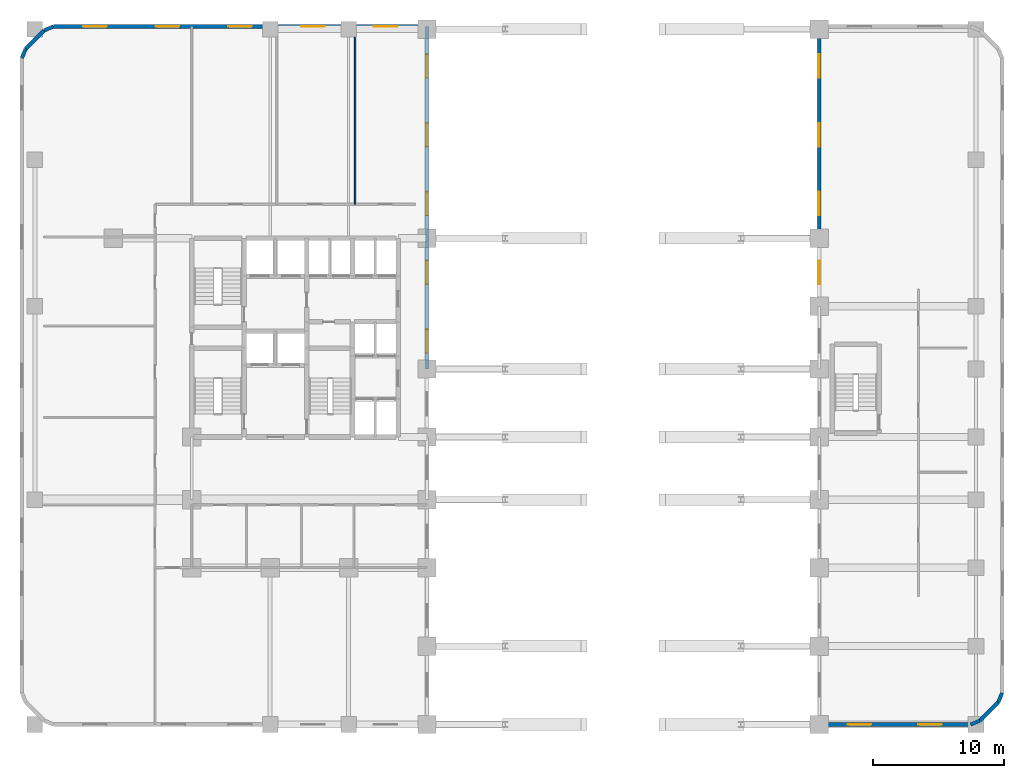
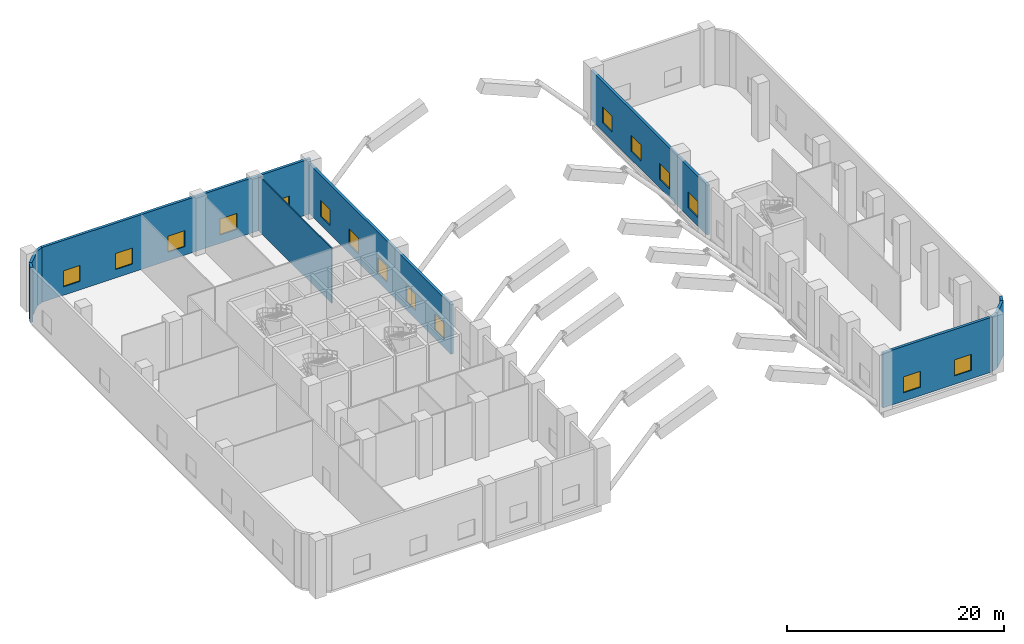
# One storey, part 6 of 10: 16 windows, 11 walls, 16 openings.
"""IFC4 building model written with IfcOpenShell, lengths in metres."""

from ifc_helpers import new_model, si_unit, direction, frame, frame_2d, origin, place, context, subcontext, project, spatial, rectangle, extrude, material, layer, layer_set, type_object, element, fill, save


model = new_model("IFC4")

# Units and contexts
model_context = context("Model", 3, precision=1e-05, world=origin(), true_north=direction((0.0, 1.0)))
body_context = subcontext(model_context, "Body", "Model", "MODEL_VIEW")
ifc_project = project(units=[si_unit("LENGTHUNIT", "METRE"), si_unit("AREAUNIT", "SQUARE_METRE"), si_unit("VOLUMEUNIT", "CUBIC_METRE"), si_unit("PLANEANGLEUNIT", "RADIAN"), si_unit("MASSUNIT", "GRAM", prefix="KILO")], contexts=[model_context])

# Site, building, storey
site_placement = place(None, origin())
site = spatial("IfcSite", under=ifc_project, at=site_placement, CompositionType="ELEMENT")
building_placement = place(site_placement, origin())
building = spatial("IfcBuilding", under=site, at=building_placement, Name="Keshet Zoharim Tower", CompositionType="ELEMENT")
storey_placement = place(building_placement, frame((0.0, 0.0, 6.5)))
storey = spatial("IfcBuildingStorey", under=building, at=storey_placement, Name="L01", CompositionType="ELEMENT", Elevation=6.5)

# Walls
ifc_material_1 = material(Name="Concrete C50/60 precast", Category="concrete")
ifc_layer_1 = layer(ifc_material_1, 0.280029296875)
ifc_layer_set_1 = layer_set([ifc_layer_1], Name="Concrete C50/60 precast")
wall_type_1 = type_object("IfcWallType", Name="WL-EXT-280", PredefinedType="STANDARD", material=ifc_layer_set_1)
wall_1_placement = place(storey_placement, frame((2.0, 51.68603515625, 0.0), z_axis=(0.0, 0.0, 1.0), x_axis=(0.382802560388, 0.92383017907, 0.0)))
element("IfcWall", 1, at=wall_1_placement, inside=storey, type_object=wall_type_1, Name="L01 Podium Precast Facade Wall 02", PredefinedType="STANDARD", context=body_context, shape_type="SweptSolid", body=[
    extrude(rectangle(XDim=0.765380859375, YDim=0.280029296875, at=frame_2d((0.3828125, 0.0))), origin(), (0.0, 0.0, 1.0), 6.169921875),
])
wall_2_placement = place(storey_placement, frame((2.29296875, 52.39306640625, 0.0), z_axis=(0.0, 0.0, 1.0), x_axis=(0.707167825498, 0.707045731605, 0.0)))
element("IfcWall", 2, at=wall_2_placement, inside=storey, type_object=wall_type_1, Name="L01 Podium Precast Facade Wall 03", PredefinedType="STANDARD", context=body_context, shape_type="SweptSolid", body=[
    extrude(rectangle(XDim=1.99951171875, YDim=0.280029296875, at=frame_2d((0.999755859375, 0.0))), origin(), (0.0, 0.0, 1.0), 6.169921875),
])
wall_3_placement = place(storey_placement, frame((3.70703125, 53.806884765625, 0.0), z_axis=(0.0, 0.0, 1.0), x_axis=(0.923717339373, 0.383074766777, 0.0)))
element("IfcWall", 3, at=wall_3_placement, inside=storey, type_object=wall_type_1, Name="L01 Podium Precast Facade Wall 04", PredefinedType="STANDARD", context=body_context, shape_type="SweptSolid", body=[
    extrude(rectangle(XDim=0.765380859375, YDim=0.280029296875, at=frame_2d((0.3828125, 0.0))), origin(), (0.0, 0.0, 1.0), 6.169921875),
])

# Wall, openings, windows
wall_4_placement = place(storey_placement, frame((4.4140625, 54.10009765625, 0.0), z_axis=(0.0, 0.0, 1.0), x_axis=(1.0, 0.0, 0.0)))
wall_4 = element("IfcWall", 4, at=wall_4_placement, inside=storey, type_object=wall_type_1, Name="L01 Podium Precast Facade Wall 05", PredefinedType="STANDARD", context=body_context, shape_type="SweptSolid", body=[
    extrude(rectangle(XDim=28.5859375, YDim=0.280029296875, at=frame_2d((14.29296875, 0.0))), origin(), (0.0, 0.0, 1.0), 6.169921875),
])
opening_1_placement = place(wall_4_placement, frame((2.279052734375, 0.0, 0.949951171875)))
opening_1 = element("IfcOpeningElement", 5, at=opening_1_placement, cuts=wall_4, Name="Opening W-180", PredefinedType="OPENING", context=body_context, shape_type="SweptSolid", body=[
    extrude(rectangle(XDim=1.800048828125, YDim=1.800048828125, at=frame_2d((0.89990234375, 0.89990234375))), frame((0.0, 0.14990234375, 0.0), z_axis=(0.0, -1.0, 0.0), x_axis=(1.0, 0.0, 0.0)), (0.0, 0.0, 1.0), 0.300048828125),
])
opening_2_placement = place(wall_4_placement, frame((7.8359375, 0.0, 0.949951171875)))
opening_2 = element("IfcOpeningElement", 6, at=opening_2_placement, cuts=wall_4, Name="Opening W-180", PredefinedType="OPENING", context=body_context, shape_type="SweptSolid", body=[
    extrude(rectangle(XDim=1.800048828125, YDim=1.800048828125, at=frame_2d((0.89990234375, 0.89990234375))), frame((0.0, 0.14990234375, 0.0), z_axis=(0.0, -1.0, 0.0), x_axis=(1.0, 0.0, 0.0)), (0.0, 0.0, 1.0), 0.300048828125),
])
opening_3_placement = place(wall_4_placement, frame((13.39306640625, 0.0, 0.949951171875)))
opening_3 = element("IfcOpeningElement", 7, at=opening_3_placement, cuts=wall_4, Name="Opening W-180", PredefinedType="OPENING", context=body_context, shape_type="SweptSolid", body=[
    extrude(rectangle(XDim=1.800048828125, YDim=1.800048828125, at=frame_2d((0.89990234375, 0.89990234375))), frame((0.0, 0.14990234375, 0.0), z_axis=(0.0, -1.0, 0.0), x_axis=(1.0, 0.0, 0.0)), (0.0, 0.0, 1.0), 0.300048828125),
])
opening_4_placement = place(wall_4_placement, frame((18.949951171875, 0.0, 0.949951171875)))
opening_4 = element("IfcOpeningElement", 8, at=opening_4_placement, cuts=wall_4, Name="Opening W-180", PredefinedType="OPENING", context=body_context, shape_type="SweptSolid", body=[
    extrude(rectangle(XDim=1.800048828125, YDim=1.800048828125, at=frame_2d((0.89990234375, 0.89990234375))), frame((0.0, 0.14990234375, 0.0), z_axis=(0.0, -1.0, 0.0), x_axis=(1.0, 0.0, 0.0)), (0.0, 0.0, 1.0), 0.300048828125),
])
opening_5_placement = place(wall_4_placement, frame((24.507080078125, 0.0, 0.949951171875)))
opening_5 = element("IfcOpeningElement", 9, at=opening_5_placement, cuts=wall_4, Name="Opening W-180", PredefinedType="OPENING", context=body_context, shape_type="SweptSolid", body=[
    extrude(rectangle(XDim=1.800048828125, YDim=1.800048828125, at=frame_2d((0.89990234375, 0.89990234375))), frame((0.0, 0.14990234375, 0.0), z_axis=(0.0, -1.0, 0.0), x_axis=(1.0, 0.0, 0.0)), (0.0, 0.0, 1.0), 0.300048828125),
])
ifc_material_2 = material(Name="Insulated Low-E Clear Glass", Category="glass")
window_type = type_object("IfcWindowType", Name="WN-CLN-180", PartitioningType="DOUBLE_PANEL_VERTICAL", PredefinedType="WINDOW", material=ifc_material_2)
window_1_placement = place(opening_1_placement, origin())
window_1 = element("IfcWindow", 10, at=window_1_placement, inside=storey, type_object=window_type, Name="L01 Clinic Facade Window 08", OverallHeight=1.800048828125, OverallWidth=1.800048828125, PartitioningType="DOUBLE_PANEL_VERTICAL", PredefinedType="WINDOW", context=body_context, shape_type="SweptSolid", body=[
    extrude(rectangle(XDim=1.800048828125, YDim=1.800048828125, at=frame_2d((0.89990234375, 0.89990234375))), frame((0.0, 0.030029296875, 0.0), z_axis=(0.0, -1.0, 0.0), x_axis=(1.0, 0.0, 0.0)), (0.0, 0.0, 1.0), 0.06005859375),
])
fill(opening_1, window_1)
window_2_placement = place(opening_2_placement, origin())
window_2 = element("IfcWindow", 11, at=window_2_placement, inside=storey, type_object=window_type, Name="L01 Clinic Facade Window 09", OverallHeight=1.800048828125, OverallWidth=1.800048828125, PartitioningType="DOUBLE_PANEL_VERTICAL", PredefinedType="WINDOW", context=body_context, shape_type="SweptSolid", body=[
    extrude(rectangle(XDim=1.800048828125, YDim=1.800048828125, at=frame_2d((0.89990234375, 0.89990234375))), frame((0.0, 0.030029296875, 0.0), z_axis=(0.0, -1.0, 0.0), x_axis=(1.0, 0.0, 0.0)), (0.0, 0.0, 1.0), 0.06005859375),
])
fill(opening_2, window_2)
window_3_placement = place(opening_3_placement, origin())
window_3 = element("IfcWindow", 12, at=window_3_placement, inside=storey, type_object=window_type, Name="L01 Clinic Facade Window 10", OverallHeight=1.800048828125, OverallWidth=1.800048828125, PartitioningType="DOUBLE_PANEL_VERTICAL", PredefinedType="WINDOW", context=body_context, shape_type="SweptSolid", body=[
    extrude(rectangle(XDim=1.800048828125, YDim=1.800048828125, at=frame_2d((0.89990234375, 0.89990234375))), frame((0.0, 0.030029296875, 0.0), z_axis=(0.0, -1.0, 0.0), x_axis=(1.0, 0.0, 0.0)), (0.0, 0.0, 1.0), 0.06005859375),
])
fill(opening_3, window_3)
window_4_placement = place(opening_4_placement, origin())
window_4 = element("IfcWindow", 13, at=window_4_placement, inside=storey, type_object=window_type, Name="L01 Clinic Facade Window 11", OverallHeight=1.800048828125, OverallWidth=1.800048828125, PartitioningType="DOUBLE_PANEL_VERTICAL", PredefinedType="WINDOW", context=body_context, shape_type="SweptSolid", body=[
    extrude(rectangle(XDim=1.800048828125, YDim=1.800048828125, at=frame_2d((0.89990234375, 0.89990234375))), frame((0.0, 0.030029296875, 0.0), z_axis=(0.0, -1.0, 0.0), x_axis=(1.0, 0.0, 0.0)), (0.0, 0.0, 1.0), 0.06005859375),
])
fill(opening_4, window_4)
window_5_placement = place(opening_5_placement, origin())
window_5 = element("IfcWindow", 14, at=window_5_placement, inside=storey, type_object=window_type, Name="L01 Clinic Facade Window 12", OverallHeight=1.800048828125, OverallWidth=1.800048828125, PartitioningType="DOUBLE_PANEL_VERTICAL", PredefinedType="WINDOW", context=body_context, shape_type="SweptSolid", body=[
    extrude(rectangle(XDim=1.800048828125, YDim=1.800048828125, at=frame_2d((0.89990234375, 0.89990234375))), frame((0.0, 0.030029296875, 0.0), z_axis=(0.0, -1.0, 0.0), x_axis=(1.0, 0.0, 0.0)), (0.0, 0.0, 1.0), 0.06005859375),
])
fill(opening_5, window_5)

wall_5_placement = place(storey_placement, frame((33.0, 54.10009765625, 0.0), z_axis=(0.0, 0.0, 1.0), x_axis=(0.0, -1.0, 0.0)))
wall_5 = element("IfcWall", 15, at=wall_5_placement, inside=storey, type_object=wall_type_1, Name="L01 Podium Precast Facade Wall 06", PredefinedType="STANDARD", context=body_context, shape_type="SweptSolid", body=[
    extrude(rectangle(XDim=26.2001953125, YDim=0.280029296875, at=frame_2d((13.10009765625, 0.0))), origin(), (0.0, 0.0, 1.0), 5.570068359375),
])
opening_6_placement = place(wall_5_placement, frame((2.1298828125, 0.0, 0.949951171875)))
opening_6 = element("IfcOpeningElement", 16, at=opening_6_placement, cuts=wall_5, Name="Opening W-180", PredefinedType="OPENING", context=body_context, shape_type="SweptSolid", body=[
    extrude(rectangle(XDim=1.800048828125, YDim=1.800048828125, at=frame_2d((0.89990234375, 0.89990234375))), frame((0.0, 0.14990234375, 0.0), z_axis=(0.0, -1.0, 0.0), x_axis=(1.0, 0.0, 0.0)), (0.0, 0.0, 1.0), 0.300048828125),
])
opening_7_placement = place(wall_5_placement, frame((7.389892578125, 0.0, 0.949951171875)))
opening_7 = element("IfcOpeningElement", 17, at=opening_7_placement, cuts=wall_5, Name="Opening W-180", PredefinedType="OPENING", context=body_context, shape_type="SweptSolid", body=[
    extrude(rectangle(XDim=1.800048828125, YDim=1.800048828125, at=frame_2d((0.89990234375, 0.89990234375))), frame((0.0, 0.14990234375, 0.0), z_axis=(0.0, -1.0, 0.0), x_axis=(1.0, 0.0, 0.0)), (0.0, 0.0, 1.0), 0.300048828125),
])
opening_8_placement = place(wall_5_placement, frame((12.64990234375, 0.0, 0.949951171875)))
opening_8 = element("IfcOpeningElement", 18, at=opening_8_placement, cuts=wall_5, Name="Opening W-180", PredefinedType="OPENING", context=body_context, shape_type="SweptSolid", body=[
    extrude(rectangle(XDim=1.800048828125, YDim=1.800048828125, at=frame_2d((0.89990234375, 0.89990234375))), frame((0.0, 0.14990234375, 0.0), z_axis=(0.0, -1.0, 0.0), x_axis=(1.0, 0.0, 0.0)), (0.0, 0.0, 1.0), 0.300048828125),
])
opening_9_placement = place(wall_5_placement, frame((17.909912109375, 0.0, 0.949951171875)))
opening_9 = element("IfcOpeningElement", 19, at=opening_9_placement, cuts=wall_5, Name="Opening W-180", PredefinedType="OPENING", context=body_context, shape_type="SweptSolid", body=[
    extrude(rectangle(XDim=1.800048828125, YDim=1.800048828125, at=frame_2d((0.89990234375, 0.89990234375))), frame((0.0, 0.14990234375, 0.0), z_axis=(0.0, -1.0, 0.0), x_axis=(1.0, 0.0, 0.0)), (0.0, 0.0, 1.0), 0.300048828125),
])
opening_10_placement = place(wall_5_placement, frame((23.169921875, 0.0, 0.949951171875)))
opening_10 = element("IfcOpeningElement", 20, at=opening_10_placement, cuts=wall_5, Name="Opening W-180", PredefinedType="OPENING", context=body_context, shape_type="SweptSolid", body=[
    extrude(rectangle(XDim=1.800048828125, YDim=1.800048828125, at=frame_2d((0.89990234375, 0.89990234375))), frame((0.0, 0.14990234375, 0.0), z_axis=(0.0, -1.0, 0.0), x_axis=(1.0, 0.0, 0.0)), (0.0, 0.0, 1.0), 0.300048828125),
])
window_6_placement = place(opening_6_placement, origin())
window_6 = element("IfcWindow", 21, at=window_6_placement, inside=storey, type_object=window_type, Name="L01 Clinic Facade Window 13", OverallHeight=1.800048828125, OverallWidth=1.800048828125, PartitioningType="DOUBLE_PANEL_VERTICAL", PredefinedType="WINDOW", context=body_context, shape_type="SweptSolid", body=[
    extrude(rectangle(XDim=1.800048828125, YDim=1.800048828125, at=frame_2d((0.89990234375, 0.89990234375))), frame((0.0, 0.030029296875, 0.0), z_axis=(0.0, -1.0, 0.0), x_axis=(1.0, 0.0, 0.0)), (0.0, 0.0, 1.0), 0.06005859375),
])
fill(opening_6, window_6)
window_7_placement = place(opening_7_placement, origin())
window_7 = element("IfcWindow", 22, at=window_7_placement, inside=storey, type_object=window_type, Name="L01 Clinic Facade Window 14", OverallHeight=1.800048828125, OverallWidth=1.800048828125, PartitioningType="DOUBLE_PANEL_VERTICAL", PredefinedType="WINDOW", context=body_context, shape_type="SweptSolid", body=[
    extrude(rectangle(XDim=1.800048828125, YDim=1.800048828125, at=frame_2d((0.89990234375, 0.89990234375))), frame((0.0, 0.030029296875, 0.0), z_axis=(0.0, -1.0, 0.0), x_axis=(1.0, 0.0, 0.0)), (0.0, 0.0, 1.0), 0.06005859375),
])
fill(opening_7, window_7)
window_8_placement = place(opening_8_placement, origin())
window_8 = element("IfcWindow", 23, at=window_8_placement, inside=storey, type_object=window_type, Name="L01 Clinic Facade Window 15", OverallHeight=1.800048828125, OverallWidth=1.800048828125, PartitioningType="DOUBLE_PANEL_VERTICAL", PredefinedType="WINDOW", context=body_context, shape_type="SweptSolid", body=[
    extrude(rectangle(XDim=1.800048828125, YDim=1.800048828125, at=frame_2d((0.89990234375, 0.89990234375))), frame((0.0, 0.030029296875, 0.0), z_axis=(0.0, -1.0, 0.0), x_axis=(1.0, 0.0, 0.0)), (0.0, 0.0, 1.0), 0.06005859375),
])
fill(opening_8, window_8)
window_9_placement = place(opening_9_placement, origin())
window_9 = element("IfcWindow", 24, at=window_9_placement, inside=storey, type_object=window_type, Name="L01 Clinic Facade Window 16", OverallHeight=1.800048828125, OverallWidth=1.800048828125, PartitioningType="DOUBLE_PANEL_VERTICAL", PredefinedType="WINDOW", context=body_context, shape_type="SweptSolid", body=[
    extrude(rectangle(XDim=1.800048828125, YDim=1.800048828125, at=frame_2d((0.89990234375, 0.89990234375))), frame((0.0, 0.030029296875, 0.0), z_axis=(0.0, -1.0, 0.0), x_axis=(1.0, 0.0, 0.0)), (0.0, 0.0, 1.0), 0.06005859375),
])
fill(opening_9, window_9)
window_10_placement = place(opening_10_placement, origin())
window_10 = element("IfcWindow", 25, at=window_10_placement, inside=storey, type_object=window_type, Name="L01 Clinic Facade Window 17", OverallHeight=1.800048828125, OverallWidth=1.800048828125, PartitioningType="DOUBLE_PANEL_VERTICAL", PredefinedType="WINDOW", context=body_context, shape_type="SweptSolid", body=[
    extrude(rectangle(XDim=1.800048828125, YDim=1.800048828125, at=frame_2d((0.89990234375, 0.89990234375))), frame((0.0, 0.030029296875, 0.0), z_axis=(0.0, -1.0, 0.0), x_axis=(1.0, 0.0, 0.0)), (0.0, 0.0, 1.0), 0.06005859375),
])
fill(opening_10, window_10)

# Walls
wall_6_placement = place(storey_placement, frame((77.0, 3.114013671875, 0.0), z_axis=(0.0, 0.0, 1.0), x_axis=(-0.382802560388, -0.92383017907, 0.0)))
element("IfcWall", 26, at=wall_6_placement, inside=storey, type_object=wall_type_1, Name="L01 Podium Precast Facade Wall 15", PredefinedType="STANDARD", context=body_context, shape_type="SweptSolid", body=[
    extrude(rectangle(XDim=0.765380859375, YDim=0.280029296875, at=frame_2d((0.3828125, 0.0))), origin(), (0.0, 0.0, 1.0), 6.169921875),
])
wall_7_placement = place(storey_placement, frame((76.70703125, 2.406982421875, 0.0), z_axis=(0.0, 0.0, 1.0), x_axis=(-0.707106781187, -0.707106781187, 0.0)))
element("IfcWall", 27, at=wall_7_placement, inside=storey, type_object=wall_type_1, Name="L01 Podium Precast Facade Wall 16", PredefinedType="STANDARD", context=body_context, shape_type="SweptSolid", body=[
    extrude(rectangle(XDim=1.999755859375, YDim=0.280029296875, at=frame_2d((1.0, 0.0))), origin(), (0.0, 0.0, 1.0), 6.169921875),
])
wall_8_placement = place(storey_placement, frame((75.29296875, 0.992919921875, 0.0), z_axis=(0.0, 0.0, 1.0), x_axis=(-0.92383017907, -0.382802560388, 0.0)))
element("IfcWall", 28, at=wall_8_placement, inside=storey, type_object=wall_type_1, Name="L01 Podium Precast Facade Wall 17", PredefinedType="STANDARD", context=body_context, shape_type="SweptSolid", body=[
    extrude(rectangle(XDim=0.765380859375, YDim=0.280029296875, at=frame_2d((0.3828125, 0.0))), origin(), (0.0, 0.0, 1.0), 6.169921875),
])

# Wall, openings, windows
wall_9_placement = place(storey_placement, frame((74.5859375, 0.699951171875, 0.0), z_axis=(0.0, 0.0, 1.0), x_axis=(-1.0, 0.0, 0.0)))
wall_9 = element("IfcWall", 29, at=wall_9_placement, inside=storey, type_object=wall_type_1, Name="L01 Podium Precast Facade Wall 18", PredefinedType="STANDARD", context=body_context, shape_type="SweptSolid", body=[
    extrude(rectangle(XDim=11.5859375, YDim=0.280029296875, at=frame_2d((5.79296875, 0.0))), origin(), (0.0, 0.0, 1.0), 6.169921875),
])
opening_11_placement = place(wall_9_placement, frame((2.196044921875, 0.0, 0.949951171875)))
opening_11 = element("IfcOpeningElement", 30, at=opening_11_placement, cuts=wall_9, Name="Opening W-180", PredefinedType="OPENING", context=body_context, shape_type="SweptSolid", body=[
    extrude(rectangle(XDim=1.800048828125, YDim=1.800048828125, at=frame_2d((0.89990234375, 0.89990234375))), frame((0.0, 0.14990234375, 0.0), z_axis=(0.0, -1.0, 0.0), x_axis=(1.0, 0.0, 0.0)), (0.0, 0.0, 1.0), 0.300048828125),
])
opening_12_placement = place(wall_9_placement, frame((7.589111328125, 0.0, 0.949951171875)))
opening_12 = element("IfcOpeningElement", 31, at=opening_12_placement, cuts=wall_9, Name="Opening W-180", PredefinedType="OPENING", context=body_context, shape_type="SweptSolid", body=[
    extrude(rectangle(XDim=1.800048828125, YDim=1.800048828125, at=frame_2d((0.89990234375, 0.89990234375))), frame((0.0, 0.14990234375, 0.0), z_axis=(0.0, -1.0, 0.0), x_axis=(1.0, 0.0, 0.0)), (0.0, 0.0, 1.0), 0.300048828125),
])
window_11_placement = place(opening_11_placement, origin())
window_11 = element("IfcWindow", 32, at=window_11_placement, inside=storey, type_object=window_type, Name="L01 Clinic Facade Window 37", OverallHeight=1.800048828125, OverallWidth=1.800048828125, PartitioningType="DOUBLE_PANEL_VERTICAL", PredefinedType="WINDOW", context=body_context, shape_type="SweptSolid", body=[
    extrude(rectangle(XDim=1.800048828125, YDim=1.800048828125, at=frame_2d((0.89990234375, 0.89990234375))), frame((0.0, 0.030029296875, 0.0), z_axis=(0.0, -1.0, 0.0), x_axis=(1.0, 0.0, 0.0)), (0.0, 0.0, 1.0), 0.06005859375),
])
fill(opening_11, window_11)
window_12_placement = place(opening_12_placement, origin())
window_12 = element("IfcWindow", 33, at=window_12_placement, inside=storey, type_object=window_type, Name="L01 Clinic Facade Window 38", OverallHeight=1.800048828125, OverallWidth=1.800048828125, PartitioningType="DOUBLE_PANEL_VERTICAL", PredefinedType="WINDOW", context=body_context, shape_type="SweptSolid", body=[
    extrude(rectangle(XDim=1.800048828125, YDim=1.800048828125, at=frame_2d((0.89990234375, 0.89990234375))), frame((0.0, 0.030029296875, 0.0), z_axis=(0.0, -1.0, 0.0), x_axis=(1.0, 0.0, 0.0)), (0.0, 0.0, 1.0), 0.06005859375),
])
fill(opening_12, window_12)

wall_10_placement = place(storey_placement, frame((63.0, 32.699951171875, 0.0), z_axis=(0.0, 0.0, 1.0), x_axis=(0.0, 1.0, 0.0)))
wall_10 = element("IfcWall", 34, at=wall_10_placement, inside=storey, type_object=wall_type_1, Name="L01 Podium Precast Facade Wall 19 Part 2", PredefinedType="STANDARD", context=body_context, shape_type="SweptSolid", body=[
    extrude(rectangle(XDim=21.400146484375, YDim=0.280029296875, at=frame_2d((10.7001953125, 0.0))), origin(), (0.0, 0.0, 1.0), 5.570068359375),
])
opening_13_placement = place(wall_10_placement, frame((1.68994140625, 0.0, 0.949951171875)))
opening_13 = element("IfcOpeningElement", 35, at=opening_13_placement, cuts=wall_10, Name="Opening W-180", PredefinedType="OPENING", context=body_context, shape_type="SweptSolid", body=[
    extrude(rectangle(XDim=1.800048828125, YDim=1.800048828125, at=frame_2d((0.89990234375, 0.89990234375))), frame((0.0, 0.14990234375, 0.0), z_axis=(0.0, -1.0, 0.0), x_axis=(1.0, 0.0, 0.0)), (0.0, 0.0, 1.0), 0.300048828125),
])
opening_14_placement = place(wall_10_placement, frame((6.949951171875, 0.0, 0.949951171875)))
opening_14 = element("IfcOpeningElement", 36, at=opening_14_placement, cuts=wall_10, Name="Opening W-180", PredefinedType="OPENING", context=body_context, shape_type="SweptSolid", body=[
    extrude(rectangle(XDim=1.800048828125, YDim=1.800048828125, at=frame_2d((0.89990234375, 0.89990234375))), frame((0.0, 0.14990234375, 0.0), z_axis=(0.0, -1.0, 0.0), x_axis=(1.0, 0.0, 0.0)), (0.0, 0.0, 1.0), 0.300048828125),
])
opening_15_placement = place(wall_10_placement, frame((12.2099609375, 0.0, 0.949951171875)))
opening_15 = element("IfcOpeningElement", 37, at=opening_15_placement, cuts=wall_10, Name="Opening W-180", PredefinedType="OPENING", context=body_context, shape_type="SweptSolid", body=[
    extrude(rectangle(XDim=1.800048828125, YDim=1.800048828125, at=frame_2d((0.89990234375, 0.89990234375))), frame((0.0, 0.14990234375, 0.0), z_axis=(0.0, -1.0, 0.0), x_axis=(1.0, 0.0, 0.0)), (0.0, 0.0, 1.0), 0.300048828125),
])
opening_16_placement = place(wall_10_placement, frame((17.469970703125, 0.0, 0.949951171875)))
opening_16 = element("IfcOpeningElement", 38, at=opening_16_placement, cuts=wall_10, Name="Opening W-180", PredefinedType="OPENING", context=body_context, shape_type="SweptSolid", body=[
    extrude(rectangle(XDim=1.800048828125, YDim=1.800048828125, at=frame_2d((0.89990234375, 0.89990234375))), frame((0.0, 0.14990234375, 0.0), z_axis=(0.0, -1.0, 0.0), x_axis=(1.0, 0.0, 0.0)), (0.0, 0.0, 1.0), 0.300048828125),
])
window_13_placement = place(opening_13_placement, origin())
window_13 = element("IfcWindow", 39, at=window_13_placement, inside=storey, type_object=window_type, Name="L01 Clinic Facade Window 45", OverallHeight=1.800048828125, OverallWidth=1.800048828125, PartitioningType="DOUBLE_PANEL_VERTICAL", PredefinedType="WINDOW", context=body_context, shape_type="SweptSolid", body=[
    extrude(rectangle(XDim=1.800048828125, YDim=1.800048828125, at=frame_2d((0.89990234375, 0.89990234375))), frame((0.0, 0.030029296875, 0.0), z_axis=(0.0, -1.0, 0.0), x_axis=(1.0, 0.0, 0.0)), (0.0, 0.0, 1.0), 0.06005859375),
])
fill(opening_13, window_13)
window_14_placement = place(opening_14_placement, origin())
window_14 = element("IfcWindow", 40, at=window_14_placement, inside=storey, type_object=window_type, Name="L01 Clinic Facade Window 46", OverallHeight=1.800048828125, OverallWidth=1.800048828125, PartitioningType="DOUBLE_PANEL_VERTICAL", PredefinedType="WINDOW", context=body_context, shape_type="SweptSolid", body=[
    extrude(rectangle(XDim=1.800048828125, YDim=1.800048828125, at=frame_2d((0.89990234375, 0.89990234375))), frame((0.0, 0.030029296875, 0.0), z_axis=(0.0, -1.0, 0.0), x_axis=(1.0, 0.0, 0.0)), (0.0, 0.0, 1.0), 0.06005859375),
])
fill(opening_14, window_14)
window_15_placement = place(opening_15_placement, origin())
window_15 = element("IfcWindow", 41, at=window_15_placement, inside=storey, type_object=window_type, Name="L01 Clinic Facade Window 47", OverallHeight=1.800048828125, OverallWidth=1.800048828125, PartitioningType="DOUBLE_PANEL_VERTICAL", PredefinedType="WINDOW", context=body_context, shape_type="SweptSolid", body=[
    extrude(rectangle(XDim=1.800048828125, YDim=1.800048828125, at=frame_2d((0.89990234375, 0.89990234375))), frame((0.0, 0.030029296875, 0.0), z_axis=(0.0, -1.0, 0.0), x_axis=(1.0, 0.0, 0.0)), (0.0, 0.0, 1.0), 0.06005859375),
])
fill(opening_15, window_15)
window_16_placement = place(opening_16_placement, origin())
window_16 = element("IfcWindow", 42, at=window_16_placement, inside=storey, type_object=window_type, Name="L01 Clinic Facade Window 48", OverallHeight=1.800048828125, OverallWidth=1.800048828125, PartitioningType="DOUBLE_PANEL_VERTICAL", PredefinedType="WINDOW", context=body_context, shape_type="SweptSolid", body=[
    extrude(rectangle(XDim=1.800048828125, YDim=1.800048828125, at=frame_2d((0.89990234375, 0.89990234375))), frame((0.0, 0.030029296875, 0.0), z_axis=(0.0, -1.0, 0.0), x_axis=(1.0, 0.0, 0.0)), (0.0, 0.0, 1.0), 0.06005859375),
])
fill(opening_16, window_16)

# Wall
ifc_material_3 = material(Name="Gypsum Plasterboard", Category="gypsum")
ifc_layer_2 = layer(ifc_material_3, 0.1201171875)
ifc_layer_set_2 = layer_set([ifc_layer_2], Name="Gypsum Plasterboard")
wall_type_2 = type_object("IfcWallType", Name="WL-PART-120", PredefinedType="PARTITIONING", material=ifc_layer_set_2)
wall_11_placement = place(storey_placement, frame((27.5, 40.5, 0.0), z_axis=(0.0, 0.0, 1.0), x_axis=(0.0, 1.0, 0.0)))
element("IfcWall", 43, at=wall_11_placement, inside=storey, type_object=wall_type_2, Name="L01 Interior Wall 033", PredefinedType="PARTITIONING", context=body_context, shape_type="SweptSolid", body=[
    extrude(rectangle(XDim=13.590087890625, YDim=0.1201171875, at=frame_2d((6.794921875, 0.0))), origin(), (0.0, 0.0, 1.0), 6.169921875),
])

save(model, "model.ifc")
